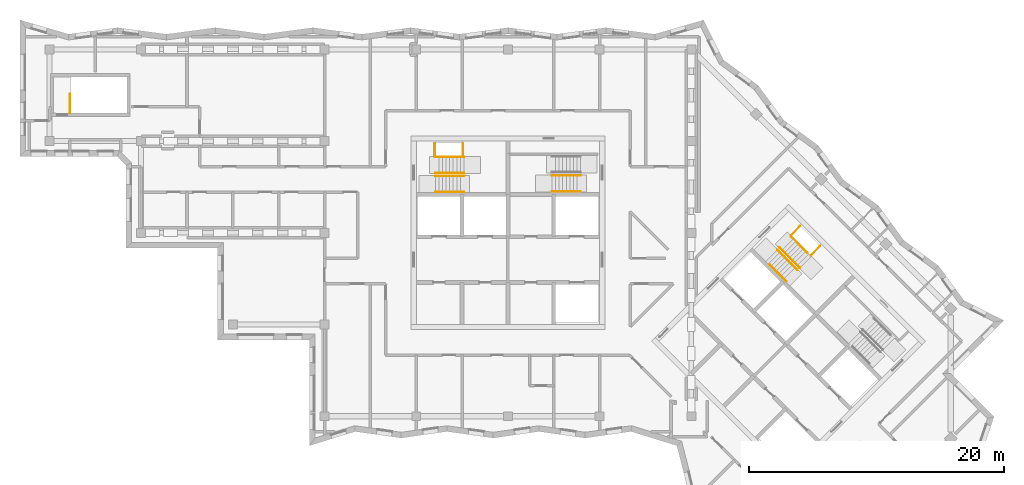
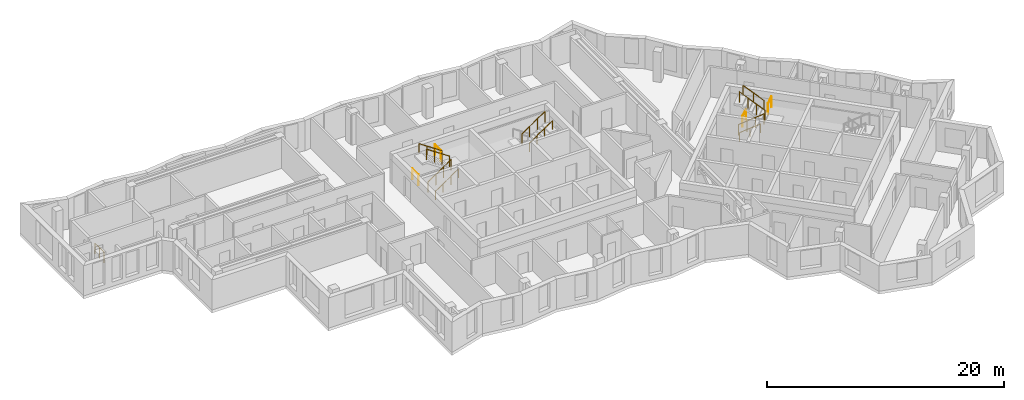
# One storey, part 10 of 12: 15 railings.
"""IFC4 building model written with IfcOpenShell, lengths in metres."""

from ifc_helpers import new_model, si_unit, direction, frame, origin, origin_2d, place, context, subcontext, project, spatial, circle, extrude, material, type_object, element, save


model = new_model("IFC4")

# Units and contexts
model_context = context("Model", 3, precision=1e-05, world=origin(), true_north=direction((0.0, 1.0)))
body_context = subcontext(model_context, "Body", "Model", "MODEL_VIEW")
ifc_project = project(units=[si_unit("LENGTHUNIT", "METRE"), si_unit("AREAUNIT", "SQUARE_METRE"), si_unit("VOLUMEUNIT", "CUBIC_METRE"), si_unit("PLANEANGLEUNIT", "RADIAN"), si_unit("MASSUNIT", "GRAM", prefix="KILO")], contexts=[model_context])

# Site, building, storey
site_placement = place(None, origin())
site = spatial("IfcSite", under=ifc_project, at=site_placement, CompositionType="ELEMENT")
building_placement = place(site_placement, origin())
building = spatial("IfcBuilding", under=site, at=building_placement, Name="Windrow Commons", CompositionType="ELEMENT")
storey_placement = place(building_placement, frame((0.0, 0.0, 267.6)))
storey = spatial("IfcBuildingStorey", under=building, at=storey_placement, Name="L73", CompositionType="ELEMENT", Elevation=267.6)

# Railings
ifc_material_1 = material(Name="Steel S355", Category="steel")
railing_type_1 = type_object("IfcRailingType", Name="Core stair guard 1100", PredefinedType="GUARDRAIL", material=ifc_material_1)
railing_1_placement = place(storey_placement, frame((59.1, 62.05, 0.1889)))
element("IfcRailing", 1, at=railing_1_placement, inside=storey, type_object=railing_type_1, Name="L73 ST-A1 stair guard 1", PredefinedType="GUARDRAIL", context=body_context, shape_type="SweptSolid", body=[
    extrude(circle(Radius=0.024, at=origin_2d()), frame((0.0, 0.0, 1.076), z_axis=(0.8290030985, 0.0, 0.5592440099), x_axis=(0.0, 1.0, 0.0)), (0.0, 0.0, 1.0), 2.702),
    extrude(circle(Radius=0.021, at=origin_2d()), origin(), (0.0, 0.0, 1.0), 1.052),
    extrude(circle(Radius=0.021, at=origin_2d()), frame((0.7467, 0.0, 0.5037)), (0.0, 0.0, 1.0), 1.052),
    extrude(circle(Radius=0.021, at=origin_2d()), frame((1.4933, 0.0, 1.0074)), (0.0, 0.0, 1.0), 1.052),
    extrude(circle(Radius=0.021, at=origin_2d()), frame((2.24, 0.0, 1.5111)), (0.0, 0.0, 1.0), 1.052),
])
railing_2_placement = place(storey_placement, frame((61.34, 62.3, 1.8889)))
element("IfcRailing", 2, at=railing_2_placement, inside=storey, type_object=railing_type_1, Name="L73 ST-A1 stair guard 2", PredefinedType="GUARDRAIL", context=body_context, shape_type="SweptSolid", body=[
    extrude(circle(Radius=0.024, at=origin_2d()), frame((0.0, 0.0, 1.076), z_axis=(-0.8290030985, 0.0, 0.5592440099), x_axis=(0.0, -1.0, 0.0)), (0.0, 0.0, 1.0), 2.702),
    extrude(circle(Radius=0.021, at=origin_2d()), origin(), (0.0, 0.0, 1.0), 1.052),
    extrude(circle(Radius=0.021, at=origin_2d()), frame((-0.7467, 0.0, 0.5037)), (0.0, 0.0, 1.0), 1.052),
    extrude(circle(Radius=0.021, at=origin_2d()), frame((-1.4933, 0.0, 1.0074)), (0.0, 0.0, 1.0), 1.052),
    extrude(circle(Radius=0.021, at=origin_2d()), frame((-2.24, 0.0, 1.5111)), (0.0, 0.0, 1.0), 1.052),
])
for number, where, name in (
    (3, (59.05, 63.6, 0.0), "L73 ST-A1 stair guard 3"),
    (4, (61.27, 63.6, 1.7), "L73 ST-A1 stair guard 4"),
):
    element("IfcRailing", number, at=place(storey_placement, frame(where)), inside=storey, type_object=railing_type_1, Name=name, PredefinedType="GUARDRAIL", context=body_context, shape_type="SweptSolid", body=[
        extrude(circle(Radius=0.024, at=origin_2d()), frame((0.0, 0.0, 1.076), z_axis=(0.0, 1.0, 0.0), x_axis=(-1.0, 0.0, 0.0)), (0.0, 0.0, 1.0), 1.03),
        extrude(circle(Radius=0.021, at=origin_2d()), origin(), (0.0, 0.0, 1.0), 1.052),
        extrude(circle(Radius=0.021, at=origin_2d()), frame((0.0, 1.03, 0.0)), (0.0, 0.0, 1.0), 1.052),
    ])
railing_3_placement = place(storey_placement, frame((68.26, 62.105, 1.8889)))
element("IfcRailing", 5, at=railing_3_placement, inside=storey, type_object=railing_type_1, Name="L73 ST-A2 stair guard 2", PredefinedType="GUARDRAIL", context=body_context, shape_type="SweptSolid", body=[
    extrude(circle(Radius=0.024, at=origin_2d()), frame((0.0, 0.0, 1.076), z_axis=(0.8290030985, 0.0, 0.5592440099), x_axis=(0.0, 1.0, 0.0)), (0.0, 0.0, 1.0), 2.702),
    extrude(circle(Radius=0.021, at=origin_2d()), origin(), (0.0, 0.0, 1.0), 1.052),
    extrude(circle(Radius=0.021, at=origin_2d()), frame((0.7467, 0.0, 0.5037)), (0.0, 0.0, 1.0), 1.052),
    extrude(circle(Radius=0.021, at=origin_2d()), frame((1.4933, 0.0, 1.0074)), (0.0, 0.0, 1.0), 1.052),
    extrude(circle(Radius=0.021, at=origin_2d()), frame((2.24, 0.0, 1.5111)), (0.0, 0.0, 1.0), 1.052),
])
railing_4_placement = place(storey_placement, frame((85.9529, 56.2669, 0.1889)))
element("IfcRailing", 6, at=railing_4_placement, inside=storey, type_object=railing_type_1, Name="L73 ST-B1 stair guard 1", PredefinedType="GUARDRAIL", context=body_context, shape_type="SweptSolid", body=[
    extrude(circle(Radius=0.024, at=origin_2d()), frame((0.0, 0.0, 1.076), z_axis=(0.5861914914, -0.5861914914, 0.5592486664), x_axis=(0.7071067812, 0.7071067812, 0.0)), (0.0, 0.0, 1.0), 2.702),
    extrude(circle(Radius=0.021, at=origin_2d()), origin(), (0.0, 0.0, 1.0), 1.052),
    extrude(circle(Radius=0.021, at=origin_2d()), frame((0.528, -0.528, 0.5037)), (0.0, 0.0, 1.0), 1.052),
    extrude(circle(Radius=0.021, at=origin_2d()), frame((1.0559, -1.0559, 1.0074)), (0.0, 0.0, 1.0), 1.052),
    extrude(circle(Radius=0.021, at=origin_2d()), frame((1.5839, -1.5839, 1.5111)), (0.0, 0.0, 1.0), 1.052),
])
railing_5_placement = place(storey_placement, frame((87.7136, 54.8597, 1.8889)))
element("IfcRailing", 7, at=railing_5_placement, inside=storey, type_object=railing_type_1, Name="L73 ST-B1 stair guard 2", PredefinedType="GUARDRAIL", context=body_context, shape_type="SweptSolid", body=[
    extrude(circle(Radius=0.024, at=origin_2d()), frame((0.0, 0.0, 1.076), z_axis=(-0.5862030657, 0.5862030657, 0.5592244018), x_axis=(-0.7071067812, -0.7071067812, 0.0)), (0.0, 0.0, 1.0), 2.7021),
    extrude(circle(Radius=0.021, at=origin_2d()), origin(), (0.0, 0.0, 1.0), 1.052),
    extrude(circle(Radius=0.021, at=origin_2d()), frame((-0.528, 0.528, 0.5037)), (0.0, 0.0, 1.0), 1.052),
    extrude(circle(Radius=0.021, at=origin_2d()), frame((-1.056, 1.056, 1.0074)), (0.0, 0.0, 1.0), 1.052),
    extrude(circle(Radius=0.021, at=origin_2d()), frame((-1.584, 1.584, 1.5111)), (0.0, 0.0, 1.0), 1.052),
])
railing_6_placement = place(storey_placement, frame((87.0135, 57.3982, 0.0)))
element("IfcRailing", 8, at=railing_6_placement, inside=storey, type_object=railing_type_1, Name="L73 ST-B1 stair guard 3", PredefinedType="GUARDRAIL", context=body_context, shape_type="SweptSolid", body=[
    extrude(circle(Radius=0.024, at=origin_2d()), frame((0.0, 0.0, 1.076), z_axis=(0.7070582378, 0.7071553212, 0.0), x_axis=(-0.7071553212, 0.7070582378, 0.0)), (0.0, 0.0, 1.0), 1.03),
    extrude(circle(Radius=0.021, at=origin_2d()), origin(), (0.0, 0.0, 1.0), 1.052),
    extrude(circle(Radius=0.021, at=origin_2d()), frame((0.7283, 0.7284, 0.0)), (0.0, 0.0, 1.0), 1.052),
])
railing_7_placement = place(storey_placement, frame((88.5833, 55.8285, 1.7)))
element("IfcRailing", 9, at=railing_7_placement, inside=storey, type_object=railing_type_1, Name="L73 ST-B1 stair guard 4", PredefinedType="GUARDRAIL", context=body_context, shape_type="SweptSolid", body=[
    extrude(circle(Radius=0.024, at=origin_2d()), frame((0.0, 0.0, 1.076), z_axis=(0.7071067812, 0.7071067812, 0.0), x_axis=(-0.7071067812, 0.7071067812, 0.0)), (0.0, 0.0, 1.0), 1.03),
    extrude(circle(Radius=0.021, at=origin_2d()), origin(), (0.0, 0.0, 1.0), 1.052),
    extrude(circle(Radius=0.021, at=origin_2d()), frame((0.7283, 0.7283, 0.0)), (0.0, 0.0, 1.0), 1.052),
])
railing_8_placement = place(storey_placement, frame((30.425, 67.0, 0.0)))
element("IfcRailing", 10, at=railing_8_placement, inside=storey, type_object=railing_type_1, Name="L73 ST-W top well guard 1", PredefinedType="GUARDRAIL", context=body_context, shape_type="SweptSolid", body=[
    extrude(circle(Radius=0.024, at=origin_2d()), frame((0.0, 0.0, 1.076), z_axis=(0.0, 1.0, 0.0), x_axis=(-1.0, 0.0, 0.0)), (0.0, 0.0, 1.0), 1.5),
    extrude(circle(Radius=0.021, at=origin_2d()), origin(), (0.0, 0.0, 1.0), 1.052),
    extrude(circle(Radius=0.021, at=origin_2d()), frame((0.0, 0.75, 0.0)), (0.0, 0.0, 1.0), 1.052),
    extrude(circle(Radius=0.021, at=origin_2d()), frame((0.0, 1.5, 0.0)), (0.0, 0.0, 1.0), 1.052),
])
ifc_material_2 = material(Name="Steel S355", Category="steel")
railing_type_2 = type_object("IfcRailingType", Name="Core stair handrail 900", PredefinedType="HANDRAIL", material=ifc_material_2)
railing_9_placement = place(storey_placement, frame((59.1, 60.8, 0.1889)))
element("IfcRailing", 11, at=railing_9_placement, inside=storey, type_object=railing_type_2, Name="L73 ST-A1 stair handrail 1", PredefinedType="HANDRAIL", context=body_context, shape_type="SweptSolid", body=[
    extrude(circle(Radius=0.024, at=origin_2d()), frame((0.0, 0.0, 0.876), z_axis=(0.8290030985, 0.0, 0.5592440099), x_axis=(0.0, 1.0, 0.0)), (0.0, 0.0, 1.0), 2.702),
    extrude(circle(Radius=0.021, at=origin_2d()), origin(), (0.0, 0.0, 1.0), 0.852),
    extrude(circle(Radius=0.021, at=origin_2d()), frame((0.7467, 0.0, 0.5037)), (0.0, 0.0, 1.0), 0.852),
    extrude(circle(Radius=0.021, at=origin_2d()), frame((1.4933, 0.0, 1.0074)), (0.0, 0.0, 1.0), 0.852),
    extrude(circle(Radius=0.021, at=origin_2d()), frame((2.24, 0.0, 1.5111)), (0.0, 0.0, 1.0), 0.852),
])
railing_10_placement = place(storey_placement, frame((61.34, 63.55, 1.8889)))
element("IfcRailing", 12, at=railing_10_placement, inside=storey, type_object=railing_type_2, Name="L73 ST-A1 stair handrail 2", PredefinedType="HANDRAIL", context=body_context, shape_type="SweptSolid", body=[
    extrude(circle(Radius=0.024, at=origin_2d()), frame((0.0, 0.0, 0.876), z_axis=(-0.8290030985, 0.0, 0.5592440099), x_axis=(0.0, -1.0, 0.0)), (0.0, 0.0, 1.0), 2.702),
    extrude(circle(Radius=0.021, at=origin_2d()), origin(), (0.0, 0.0, 1.0), 0.852),
    extrude(circle(Radius=0.021, at=origin_2d()), frame((-0.7467, 0.0, 0.5037)), (0.0, 0.0, 1.0), 0.852),
    extrude(circle(Radius=0.021, at=origin_2d()), frame((-1.4933, 0.0, 1.0074)), (0.0, 0.0, 1.0), 0.852),
    extrude(circle(Radius=0.021, at=origin_2d()), frame((-2.24, 0.0, 1.5111)), (0.0, 0.0, 1.0), 0.852),
])
railing_11_placement = place(storey_placement, frame((68.26, 60.855, 1.8889)))
element("IfcRailing", 13, at=railing_11_placement, inside=storey, type_object=railing_type_2, Name="L73 ST-A2 stair handrail 2", PredefinedType="HANDRAIL", context=body_context, shape_type="SweptSolid", body=[
    extrude(circle(Radius=0.024, at=origin_2d()), frame((0.0, 0.0, 0.876), z_axis=(0.8290030985, 0.0, 0.5592440099), x_axis=(0.0, 1.0, 0.0)), (0.0, 0.0, 1.0), 2.702),
    extrude(circle(Radius=0.021, at=origin_2d()), origin(), (0.0, 0.0, 1.0), 0.852),
    extrude(circle(Radius=0.021, at=origin_2d()), frame((0.7467, 0.0, 0.5037)), (0.0, 0.0, 1.0), 0.852),
    extrude(circle(Radius=0.021, at=origin_2d()), frame((1.4933, 0.0, 1.0074)), (0.0, 0.0, 1.0), 0.852),
    extrude(circle(Radius=0.021, at=origin_2d()), frame((2.24, 0.0, 1.5111)), (0.0, 0.0, 1.0), 0.852),
])
railing_12_placement = place(storey_placement, frame((85.3518, 55.1001, 0.4587)))
element("IfcRailing", 14, at=railing_12_placement, inside=storey, type_object=railing_type_2, Name="L73 ST-B1 stair handrail 1", PredefinedType="HANDRAIL", context=body_context, shape_type="SweptSolid", body=[
    extrude(circle(Radius=0.024, at=origin_2d()), frame((0.0, 0.0, 0.876), z_axis=(0.586206706, -0.5861616513, 0.5592639952), x_axis=(0.7070796062, 0.7071339551, 0.0)), (0.0, 0.0, 1.0), 2.2195),
    extrude(circle(Radius=0.021, at=origin_2d()), origin(), (0.0, 0.0, 1.0), 0.852),
    extrude(circle(Radius=0.021, at=origin_2d()), frame((0.6506, -0.6505, 0.6207)), (0.0, 0.0, 1.0), 0.852),
    extrude(circle(Radius=0.021, at=origin_2d()), frame((1.3011, -1.301, 1.2413)), (0.0, 0.0, 1.0), 0.852),
])
railing_13_placement = place(storey_placement, frame((88.3146, 56.0265, 2.1587)))
element("IfcRailing", 15, at=railing_13_placement, inside=storey, type_object=railing_type_2, Name="L73 ST-B1 stair handrail 2", PredefinedType="HANDRAIL", context=body_context, shape_type="SweptSolid", body=[
    extrude(circle(Radius=0.024, at=origin_2d()), frame((0.0, 0.0, 0.876), z_axis=(-0.586206706, 0.5861616513, 0.5592639952), x_axis=(-0.7070796062, -0.7071339551, 0.0)), (0.0, 0.0, 1.0), 2.2195),
    extrude(circle(Radius=0.021, at=origin_2d()), origin(), (0.0, 0.0, 1.0), 0.852),
    extrude(circle(Radius=0.021, at=origin_2d()), frame((-0.6506, 0.6505, 0.6207)), (0.0, 0.0, 1.0), 0.852),
    extrude(circle(Radius=0.021, at=origin_2d()), frame((-1.3011, 1.301, 1.2413)), (0.0, 0.0, 1.0), 0.852),
])

save(model, "model.ifc")
